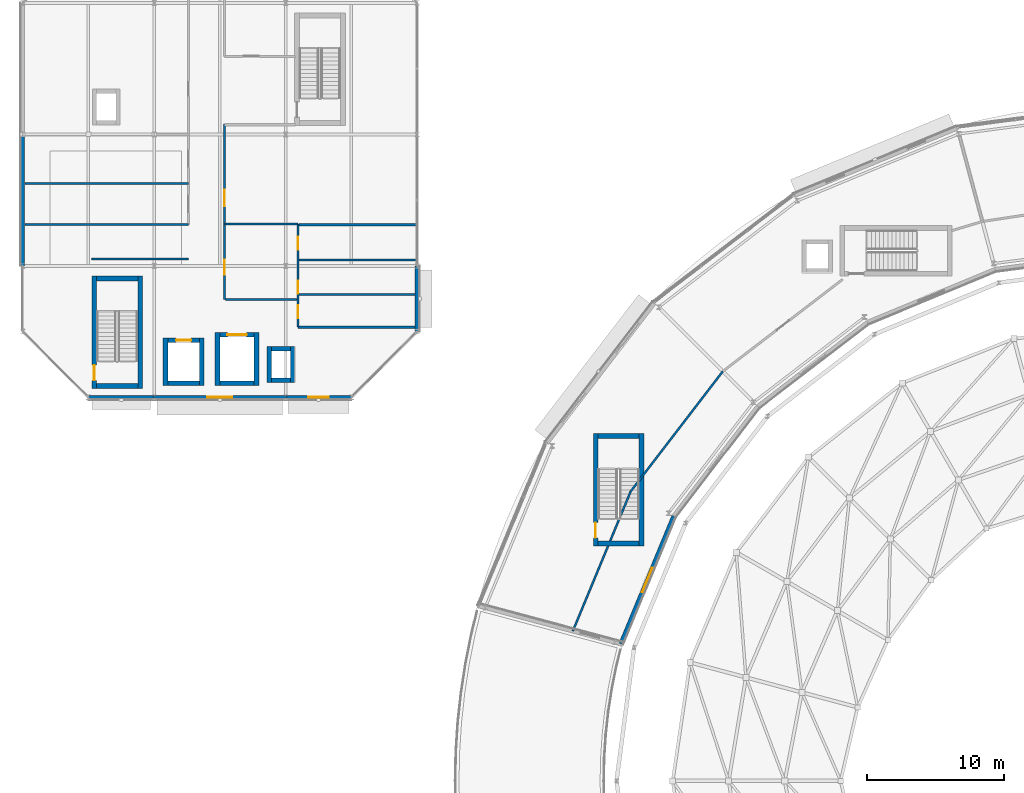
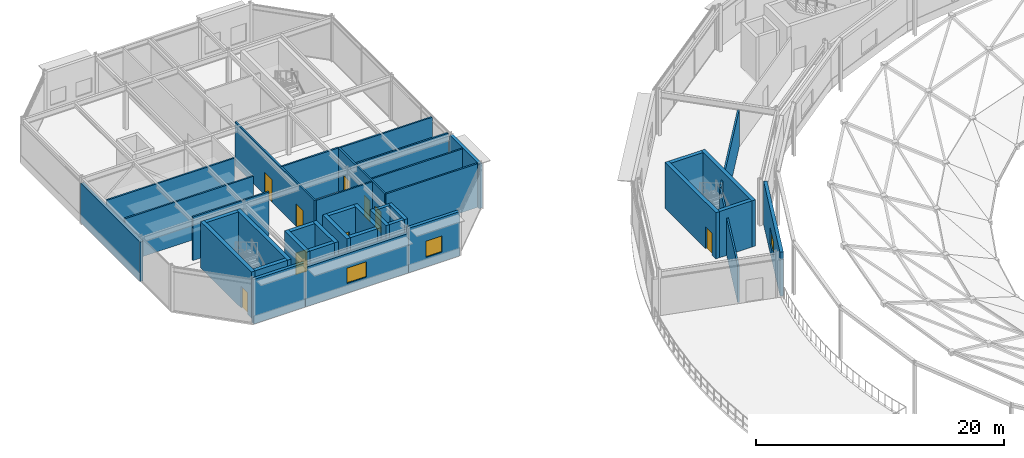
# One storey, part 62 of 89: 39 walls, 9 doors, 3 windows, 12 openings.
"""IFC4 building model written with IfcOpenShell, lengths in metres."""

from ifc_helpers import new_model, si_unit, direction, frame, frame_2d, origin, place, context, subcontext, project, spatial, rectangle, extrude, material, layer, layer_set, type_object, element, fill, save


model = new_model("IFC4")

# Units and contexts
model_context = context("Model", 3, precision=1e-05, world=origin(), true_north=direction((0.0, 1.0)))
body_context = subcontext(model_context, "Body", "Model", "MODEL_VIEW")
ifc_project = project(units=[si_unit("LENGTHUNIT", "METRE"), si_unit("AREAUNIT", "SQUARE_METRE"), si_unit("VOLUMEUNIT", "CUBIC_METRE"), si_unit("PLANEANGLEUNIT", "RADIAN"), si_unit("MASSUNIT", "GRAM", prefix="KILO")], contexts=[model_context])

# Site, building, storey
site_placement = place(None, origin())
site = spatial("IfcSite", under=ifc_project, at=site_placement, CompositionType="ELEMENT")
building_placement = place(site_placement, origin())
building = spatial("IfcBuilding", under=site, at=building_placement, Name="Almandine Court Research Institute", CompositionType="ELEMENT")
storey_placement = place(building_placement, frame((0.0, 0.0, 18.89990234375)))
storey = spatial("IfcBuildingStorey", under=building, at=storey_placement, Name="L04", CompositionType="ELEMENT", Elevation=18.89990234375)

# Walls
ifc_material_1 = material(Name="Insulated Ochre Terracotta Rainscreen Wall", Category="masonry")
ifc_layer_1 = layer(ifc_material_1, 0.2900390625)
ifc_layer_set_1 = layer_set([ifc_layer_1], Name="Insulated Ochre Terracotta Rainscreen Wall")
wall_type_1 = type_object("IfcWallType", Name="Wall-EXT-TERR-290", PredefinedType="SOLIDWALL", material=ifc_layer_set_1)
wall_1_placement = place(storey_placement, frame((6.0, 93.60400390625, 0.0), z_axis=(0.0, 0.0, 1.0), x_axis=(0.0, 1.0, 0.0)))
element("IfcWall", 1, at=wall_1_placement, inside=storey, type_object=wall_type_1, Name="L04 Cleanroom West Wall 2", PredefinedType="SOLIDWALL", context=body_context, shape_type="SweptSolid", body=[
    extrude(rectangle(XDim=9.592041015625, YDim=0.2900390625, at=frame_2d((4.7958984375, 0.0))), origin(), (0.0, 0.0, 1.0), 3.884033203125),
])
wall_2_placement = place(storey_placement, frame((34.800048828125, 93.595947265625, 0.0), z_axis=(0.0, 0.0, 1.0), x_axis=(0.0, -1.0, 0.0)))
element("IfcWall", 2, at=wall_2_placement, inside=storey, type_object=wall_type_1, Name="L04 Cleanroom East Wall 1", PredefinedType="SOLIDWALL", context=body_context, shape_type="SweptSolid", body=[
    extrude(rectangle(XDim=4.7919921875, YDim=0.2900390625, at=frame_2d((2.39599609375, 0.0))), origin(), (0.0, 0.0, 1.0), 4.3701171875),
])

# Wall, opening, window
wall_3_placement = place(storey_placement, frame((29.99609375, 84.0, 0.0), z_axis=(0.0, 0.0, 1.0), x_axis=(-1.0, 0.0, 0.0)))
wall_3 = element("IfcWall", 3, at=wall_3_placement, inside=storey, type_object=wall_type_1, Name="L04 Cleanroom South Wall 1", PredefinedType="SOLIDWALL", context=body_context, shape_type="SweptSolid", body=[
    extrude(rectangle(XDim=4.7919921875, YDim=0.2900390625, at=frame_2d((2.39599609375, 0.0))), origin(), (0.0, 0.0, 1.0), 4.3701171875),
])
opening_1_placement = place(wall_3_placement, frame((1.65087890625, 0.0, 0.949951171875)))
opening_1 = element("IfcOpeningElement", 4, at=opening_1_placement, cuts=wall_3, Name="Opening WN-38", PredefinedType="OPENING", context=body_context, shape_type="SweptSolid", body=[
    extrude(rectangle(XDim=1.489990234375, YDim=1.590087890625, at=frame_2d((0.7451171875, 0.794921875))), frame((0.0, 0.155029296875, 0.0), z_axis=(0.0, -1.0, 0.0), x_axis=(1.0, 0.0, 0.0)), (0.0, 0.0, 1.0), 0.31005859375),
])
ifc_material_2 = material(Name="Thermally Broken Low-E Double-Glazed Window", Category="glass")
window_type_1 = type_object("IfcWindowType", Name="Win-WN-38-1490x1590", PartitioningType="SINGLE_PANEL", PredefinedType="WINDOW", material=ifc_material_2)
window_1_placement = place(opening_1_placement, origin())
window_1 = element("IfcWindow", 5, at=window_1_placement, inside=storey, type_object=window_type_1, Name="L04 Modular Recessed Low-E Window 58", OverallHeight=1.590087890625, OverallWidth=1.489990234375, PartitioningType="SINGLE_PANEL", PredefinedType="WINDOW", context=body_context, shape_type="SweptSolid", body=[
    extrude(rectangle(XDim=1.489990234375, YDim=1.590087890625, at=frame_2d((0.7451171875, 0.794921875))), frame((0.0, 0.030029296875, 0.0), z_axis=(0.0, -1.0, 0.0), x_axis=(1.0, 0.0, 0.0)), (0.0, 0.0, 1.0), 0.06005859375),
])
fill(opening_1, window_1)

wall_4_placement = place(storey_placement, frame((25.196044921875, 84.0, 0.0), z_axis=(0.0, 0.0, 1.0), x_axis=(-1.0, 0.0, 0.0)))
wall_4 = element("IfcWall", 6, at=wall_4_placement, inside=storey, type_object=wall_type_1, Name="L04 Cleanroom South Wall 2", PredefinedType="SOLIDWALL", context=body_context, shape_type="SweptSolid", body=[
    extrude(rectangle(XDim=9.592041015625, YDim=0.2900390625, at=frame_2d((4.7958984375, 0.0))), origin(), (0.0, 0.0, 1.0), 3.884033203125),
])
opening_2_placement = place(wall_4_placement, frame((3.885986328125, 0.0, 0.949951171875)))
opening_2 = element("IfcOpeningElement", 7, at=opening_2_placement, cuts=wall_4, Name="Opening WN-39", PredefinedType="OPENING", context=body_context, shape_type="SweptSolid", body=[
    extrude(rectangle(XDim=1.820068359375, YDim=1.510009765625, at=frame_2d((0.91015625, 0.7548828125))), frame((0.0, 0.155029296875, 0.0), z_axis=(0.0, -1.0, 0.0), x_axis=(1.0, 0.0, 0.0)), (0.0, 0.0, 1.0), 0.31005859375),
])
window_type_2 = type_object("IfcWindowType", Name="Win-WN-39-1820x1510", PartitioningType="SINGLE_PANEL", PredefinedType="WINDOW", material=ifc_material_2)
window_2_placement = place(opening_2_placement, origin())
window_2 = element("IfcWindow", 8, at=window_2_placement, inside=storey, type_object=window_type_2, Name="L04 Modular Recessed Low-E Window 59", OverallHeight=1.510009765625, OverallWidth=1.820068359375, PartitioningType="SINGLE_PANEL", PredefinedType="WINDOW", context=body_context, shape_type="SweptSolid", body=[
    extrude(rectangle(XDim=1.820068359375, YDim=1.510009765625, at=frame_2d((0.91015625, 0.7548828125))), frame((0.0, 0.030029296875, 0.0), z_axis=(0.0, -1.0, 0.0), x_axis=(1.0, 0.0, 0.0)), (0.0, 0.0, 1.0), 0.06005859375),
])
fill(opening_2, window_2)

# Wall
wall_5_placement = place(storey_placement, frame((15.595947265625, 84.0, 0.0), z_axis=(0.0, 0.0, 1.0), x_axis=(-1.0, 0.0, 0.0)))
element("IfcWall", 9, at=wall_5_placement, inside=storey, type_object=wall_type_1, Name="L04 Cleanroom South Wall 3", PredefinedType="SOLIDWALL", context=body_context, shape_type="SweptSolid", body=[
    extrude(rectangle(XDim=4.7919921875, YDim=0.2900390625, at=frame_2d((2.39599609375, 0.0))), origin(), (0.0, 0.0, 1.0), 4.3701171875),
])

# Wall, opening, window
wall_6_placement = place(storey_placement, frame((53.51708984375, 75.324951171875, 0.0), z_axis=(0.0, 0.0, 1.0), x_axis=(-0.382733240508, -0.92385889973, 0.0)))
wall_6 = element("IfcWall", 10, at=wall_6_placement, inside=storey, type_object=wall_type_1, Name="L04 Drum Inner Gallery Wall 10", PredefinedType="SOLIDWALL", context=body_context, shape_type="SweptSolid", body=[
    extrude(rectangle(XDim=10.08056640625, YDim=0.2900390625, at=frame_2d((5.040283203125, 0.0))), origin(), (0.0, 0.0, 1.0), 4.31005859375),
])
opening_3_placement = place(wall_6_placement, frame((4.074951171875, 0.0, 0.949951171875)))
opening_3 = element("IfcOpeningElement", 11, at=opening_3_placement, cuts=wall_6, Name="Opening WN-128", PredefinedType="OPENING", context=body_context, shape_type="SweptSolid", body=[
    extrude(rectangle(XDim=1.929931640625, YDim=1.590087890625, at=frame_2d((0.96484375, 0.794921875))), frame((0.0, 0.155029296875, 0.0), z_axis=(0.0, -1.0, 0.0), x_axis=(1.0, 0.0, 0.0)), (0.0, 0.0, 1.0), 0.31005859375),
])
window_type_3 = type_object("IfcWindowType", Name="Win-WN-128-1930x1590", PartitioningType="SINGLE_PANEL", PredefinedType="WINDOW", material=ifc_material_2)
window_3_placement = place(opening_3_placement, origin())
window_3 = element("IfcWindow", 12, at=window_3_placement, inside=storey, type_object=window_type_3, Name="L04 Modular Recessed Low-E Window 310", OverallHeight=1.590087890625, OverallWidth=1.929931640625, PartitioningType="SINGLE_PANEL", PredefinedType="WINDOW", context=body_context, shape_type="SweptSolid", body=[
    extrude(rectangle(XDim=1.929931640625, YDim=1.590087890625, at=frame_2d((0.96484375, 0.794921875))), frame((0.0, 0.030029296875, 0.0), z_axis=(0.0, -1.0, 0.0), x_axis=(1.0, 0.0, 0.0)), (0.0, 0.0, 1.0), 0.06005859375),
])
fill(opening_3, window_3)

# Walls
ifc_material_3 = material(Name="Acoustic Steel-Stud Gypsum Partition Wall", Category="steel")
ifc_layer_2 = layer(ifc_material_3, 0.14990234375)
ifc_layer_set_2 = layer_set([ifc_layer_2], Name="Acoustic Steel-Stud Gypsum Partition Wall")
wall_type_2 = type_object("IfcWallType", Name="Wall-PART-150", PredefinedType="PARTITIONING", material=ifc_layer_set_2)
wall_7_placement = place(storey_placement, frame((26.179931640625, 91.52001953125, 0.0), z_axis=(0.0, 0.0, 1.0), x_axis=(1.0, 0.0, 0.0)))
element("IfcWall", 13, at=wall_7_placement, inside=storey, type_object=wall_type_2, Name="L04 Interior Partition W-V3-L04-WCH-1", PredefinedType="PARTITIONING", context=body_context, shape_type="SweptSolid", body=[
    extrude(rectangle(XDim=8.4599609375, YDim=0.14990234375, at=frame_2d((4.22998046875, 0.0))), origin(), (0.0, 0.0, 1.0), 4.300048828125),
])
for number, where, z_axis, x_axis, name in (
    (14, (26.179931640625, 94.02001953125, 0.0), (0.0, 0.0, 1.0), (1.0, 0.0, 0.0), "L04 Interior Partition W-V3-L04-WCH-2"),
    (15, (26.179931640625, 96.60009765625, 0.0), (0.0, 0.0, 1.0), (1.0, 0.0, 0.0), "L04 Interior Partition W-V3-L04-WCH-3"),
):
    element("IfcWall", number, at=place(storey_placement, frame(where, z_axis=z_axis, x_axis=x_axis)), inside=storey, type_object=wall_type_2, Name=name, PredefinedType="PARTITIONING", context=body_context, shape_type="SweptSolid", body=[
        extrude(rectangle(XDim=8.56005859375, YDim=0.14990234375, at=frame_2d((4.280029296875, 0.0))), origin(), (0.0, 0.0, 1.0), 4.300048828125),
    ])
wall_8_placement = place(storey_placement, frame((26.10009765625, 89.1201171875, 0.0), z_axis=(0.0, 0.0, 1.0), x_axis=(1.0, 0.0, 0.0)))
element("IfcWall", 16, at=wall_8_placement, inside=storey, type_object=wall_type_2, Name="L04 Interior Partition W-V3-L04-WCS", PredefinedType="PARTITIONING", context=body_context, shape_type="SweptSolid", body=[
    extrude(rectangle(XDim=8.539794921875, YDim=0.14990234375, at=frame_2d((4.27001953125, 0.0))), origin(), (0.0, 0.0, 1.0), 4.300048828125),
])

# Wall, openings, doors
wall_9_placement = place(storey_placement, frame((26.10009765625, 89.1201171875, 0.0), z_axis=(0.0, 0.0, 1.0), x_axis=(0.0, 1.0, 0.0)))
wall_9 = element("IfcWall", 17, at=wall_9_placement, inside=storey, type_object=wall_type_2, Name="L04 Interior Partition W-V3-L04-WC-ALL", PredefinedType="PARTITIONING", context=body_context, shape_type="SweptSolid", body=[
    extrude(rectangle(XDim=7.52978515625, YDim=0.14990234375, at=frame_2d((3.764892578125, 0.0))), origin(), (0.0, 0.0, 1.0), 4.300048828125),
])
opening_4_placement = place(wall_9_placement, frame((0.659912109375, 0.0, 0.0)))
opening_4 = element("IfcOpeningElement", 18, at=opening_4_placement, cuts=wall_9, Name="Opening D-01", PredefinedType="OPENING", context=body_context, shape_type="SweptSolid", body=[
    extrude(rectangle(XDim=0.949951171875, YDim=2.10009765625, at=frame_2d((0.47509765625, 1.050048828125))), frame((0.0, 0.0849609375, 0.0), z_axis=(0.0, -1.0, 0.0), x_axis=(1.0, 0.0, 0.0)), (0.0, 0.0, 1.0), 0.169921875),
])
opening_5_placement = place(wall_9_placement, frame((2.43994140625, 0.0, 0.0)))
opening_5 = element("IfcOpeningElement", 19, at=opening_5_placement, cuts=wall_9, Name="Opening D-01", PredefinedType="OPENING", context=body_context, shape_type="SweptSolid", body=[
    extrude(rectangle(XDim=0.949951171875, YDim=2.10009765625, at=frame_2d((0.47509765625, 1.050048828125))), frame((0.0, 0.0849609375, 0.0), z_axis=(0.0, -1.0, 0.0), x_axis=(1.0, 0.0, 0.0)), (0.0, 0.0, 1.0), 0.169921875),
])
opening_6_placement = place(wall_9_placement, frame((5.639892578125, 0.0, 0.0)))
opening_6 = element("IfcOpeningElement", 20, at=opening_6_placement, cuts=wall_9, Name="Opening D-01", PredefinedType="OPENING", context=body_context, shape_type="SweptSolid", body=[
    extrude(rectangle(XDim=0.949951171875, YDim=2.10009765625, at=frame_2d((0.47509765625, 1.050048828125))), frame((0.0, 0.0849609375, 0.0), z_axis=(0.0, -1.0, 0.0), x_axis=(1.0, 0.0, 0.0)), (0.0, 0.0, 1.0), 0.169921875),
])
ifc_material_4 = material(Name="Solid-Core Timber Acoustic Room Door", Category="wood")
door_type_1 = type_object("IfcDoorType", Name="Door-INT-950", OperationType="NOTDEFINED", PredefinedType="DOOR", material=ifc_material_4)
door_1_placement = place(opening_4_placement, origin())
door_1 = element("IfcDoor", 21, at=door_1_placement, inside=storey, type_object=door_type_1, Name="L04 V3 Male Toilet Door", OperationType="SINGLE_SWING_RIGHT", OverallHeight=2.10009765625, OverallWidth=0.949951171875, PredefinedType="DOOR", context=body_context, shape_type="SweptSolid", body=[
    extrude(rectangle(XDim=0.949951171875, YDim=2.10009765625, at=frame_2d((0.47509765625, 1.050048828125))), frame((0.0, 0.02490234375, 0.0), z_axis=(0.0, -1.0, 0.0), x_axis=(1.0, 0.0, 0.0)), (0.0, 0.0, 1.0), 0.050048828125),
])
fill(opening_4, door_1)
door_2_placement = place(opening_5_placement, origin())
door_2 = element("IfcDoor", 22, at=door_2_placement, inside=storey, type_object=door_type_1, Name="L04 V3 Female Toilet Door", OperationType="SINGLE_SWING_LEFT", OverallHeight=2.10009765625, OverallWidth=0.949951171875, PredefinedType="DOOR", context=body_context, shape_type="SweptSolid", body=[
    extrude(rectangle(XDim=0.949951171875, YDim=2.10009765625, at=frame_2d((0.47509765625, 1.050048828125))), frame((0.0, 0.02490234375, 0.0), z_axis=(0.0, -1.0, 0.0), x_axis=(1.0, 0.0, 0.0)), (0.0, 0.0, 1.0), 0.050048828125),
])
fill(opening_5, door_2)
door_3_placement = place(opening_6_placement, origin())
door_3 = element("IfcDoor", 23, at=door_3_placement, inside=storey, type_object=door_type_1, Name="L04 V3 Accessible WC Door", OperationType="SINGLE_SWING_RIGHT", OverallHeight=2.10009765625, OverallWidth=0.949951171875, PredefinedType="DOOR", context=body_context, shape_type="SweptSolid", body=[
    extrude(rectangle(XDim=0.949951171875, YDim=2.10009765625, at=frame_2d((0.47509765625, 1.050048828125))), frame((0.0, 0.02490234375, 0.0), z_axis=(0.0, -1.0, 0.0), x_axis=(1.0, 0.0, 0.0)), (0.0, 0.0, 1.0), 0.050048828125),
])
fill(opening_6, door_3)

# Walls
wall_10_placement = place(storey_placement, frame((6.159912109375, 96.6201171875, 0.0), z_axis=(0.0, 0.0, 1.0), x_axis=(1.0, 0.0, 0.0)))
element("IfcWall", 24, at=wall_10_placement, inside=storey, type_object=wall_type_2, Name="L04 Interior Partition W-V3-L04-CSW", PredefinedType="PARTITIONING", context=body_context, shape_type="SweptSolid", body=[
    extrude(rectangle(XDim=11.940185546875, YDim=0.14990234375, at=frame_2d((5.97021484375, 0.0))), origin(), (0.0, 0.0, 1.0), 4.300048828125),
])
wall_11_placement = place(storey_placement, frame((11.02001953125, 94.10009765625, 0.0), z_axis=(0.0, 0.0, 1.0), x_axis=(1.0, 0.0, 0.0)))
element("IfcWall", 25, at=wall_11_placement, inside=storey, type_object=wall_type_2, Name="L04 Interior Partition W-V3-L04-WS", PredefinedType="PARTITIONING", context=body_context, shape_type="SweptSolid", body=[
    extrude(rectangle(XDim=7.080078125, YDim=0.14990234375, at=frame_2d((3.5400390625, 0.0))), origin(), (0.0, 0.0, 1.0), 4.300048828125),
])

# Wall, openings, doors
wall_12_placement = place(storey_placement, frame((20.719970703125, 91.14990234375, 0.0), z_axis=(0.0, 0.0, 1.0), x_axis=(0.0, 1.0, 0.0)))
wall_12 = element("IfcWall", 26, at=wall_12_placement, inside=storey, type_object=wall_type_2, Name="L04 Interior Partition W-V3-L04-CE", PredefinedType="PARTITIONING", context=body_context, shape_type="SweptSolid", body=[
    extrude(rectangle(XDim=12.800048828125, YDim=0.14990234375, at=frame_2d((6.39990234375, 0.0))), origin(), (0.0, 0.0, 1.0), 4.300048828125),
])
opening_7_placement = place(wall_12_placement, frame((1.800048828125, 0.0, 0.0)))
opening_7 = element("IfcOpeningElement", 27, at=opening_7_placement, cuts=wall_12, Name="Opening D-03", PredefinedType="OPENING", context=body_context, shape_type="SweptSolid", body=[
    extrude(rectangle(XDim=1.10009765625, YDim=2.199951171875, at=frame_2d((0.550048828125, 1.10009765625))), frame((0.0, 0.0849609375, 0.0), z_axis=(0.0, -1.0, 0.0), x_axis=(1.0, 0.0, 0.0)), (0.0, 0.0, 1.0), 0.169921875),
])
opening_8_placement = place(wall_12_placement, frame((6.800048828125, 0.0, 0.0)))
opening_8 = element("IfcOpeningElement", 28, at=opening_8_placement, cuts=wall_12, Name="Opening D-04", PredefinedType="OPENING", context=body_context, shape_type="SweptSolid", body=[
    extrude(rectangle(XDim=1.199951171875, YDim=2.199951171875, at=frame_2d((0.60009765625, 1.10009765625))), frame((0.0, 0.0849609375, 0.0), z_axis=(0.0, -1.0, 0.0), x_axis=(1.0, 0.0, 0.0)), (0.0, 0.0, 1.0), 0.169921875),
])
ifc_material_5 = material(Name="Acoustic Vision-Panel Seminar Door")
door_type_2 = type_object("IfcDoorType", Name="Door-INT-1100", OperationType="NOTDEFINED", PredefinedType="DOOR", material=ifc_material_5)
door_4_placement = place(opening_7_placement, origin())
door_4 = element("IfcDoor", 29, at=door_4_placement, inside=storey, type_object=door_type_2, Name="L04 Instrument Room Door", OperationType="SINGLE_SWING_LEFT", OverallHeight=2.199951171875, OverallWidth=1.10009765625, PredefinedType="DOOR", context=body_context, shape_type="SweptSolid", body=[
    extrude(rectangle(XDim=1.10009765625, YDim=2.199951171875, at=frame_2d((0.550048828125, 1.10009765625))), frame((0.0, 0.02490234375, 0.0), z_axis=(0.0, -1.0, 0.0), x_axis=(1.0, 0.0, 0.0)), (0.0, 0.0, 1.0), 0.050048828125),
])
fill(opening_7, door_4)
ifc_material_6 = material(Name="Wide Acoustic Laboratory Suite Door")
door_type_3 = type_object("IfcDoorType", Name="Door-INT-1200", OperationType="NOTDEFINED", PredefinedType="DOOR", material=ifc_material_6)
door_5_placement = place(opening_8_placement, origin())
door_5 = element("IfcDoor", 30, at=door_5_placement, inside=storey, type_object=door_type_3, Name="L04 Nanofabrication Lab Door", OperationType="SINGLE_SWING_RIGHT", OverallHeight=2.199951171875, OverallWidth=1.199951171875, PredefinedType="DOOR", context=body_context, shape_type="SweptSolid", body=[
    extrude(rectangle(XDim=1.199951171875, YDim=2.199951171875, at=frame_2d((0.60009765625, 1.10009765625))), frame((0.0, 0.02490234375, 0.0), z_axis=(0.0, -1.0, 0.0), x_axis=(1.0, 0.0, 0.0)), (0.0, 0.0, 1.0), 0.050048828125),
])
fill(opening_8, door_5)

# Walls
wall_13_placement = place(storey_placement, frame((20.820068359375, 91.14990234375, 0.0), z_axis=(0.0, 0.0, 1.0), x_axis=(1.0, 0.0, 0.0)))
element("IfcWall", 31, at=wall_13_placement, inside=storey, type_object=wall_type_2, Name="L04 Interior Partition W-V3-L04-CES", PredefinedType="PARTITIONING", context=body_context, shape_type="SweptSolid", body=[
    extrude(rectangle(XDim=5.199951171875, YDim=0.14990234375, at=frame_2d((2.60009765625, 0.0))), origin(), (0.0, 0.0, 1.0), 4.300048828125),
])
wall_14_placement = place(storey_placement, frame((20.719970703125, 96.64990234375, 0.0), z_axis=(0.0, 0.0, 1.0), x_axis=(1.0, 0.0, 0.0)))
element("IfcWall", 32, at=wall_14_placement, inside=storey, type_object=wall_type_2, Name="L04 Interior Partition W-V3-L04-SUBN", PredefinedType="PARTITIONING", context=body_context, shape_type="SweptSolid", body=[
    extrude(rectangle(XDim=5.380126953125, YDim=0.14990234375, at=frame_2d((2.68994140625, 0.0))), origin(), (0.0, 0.0, 1.0), 4.300048828125),
])
wall_15_placement = place(storey_placement, frame((6.159912109375, 99.60009765625, 0.0), z_axis=(0.0, 0.0, 1.0), x_axis=(1.0, 0.0, 0.0)))
element("IfcWall", 33, at=wall_15_placement, inside=storey, type_object=wall_type_2, Name="L04 Interior Partition W-V3-L04-SA", PredefinedType="PARTITIONING", context=body_context, shape_type="SweptSolid", body=[
    extrude(rectangle(XDim=11.940185546875, YDim=0.14990234375, at=frame_2d((5.97021484375, 0.0))), origin(), (0.0, 0.0, 1.0), 4.300048828125),
])
wall_16_placement = place(storey_placement, frame((57.10400390625, 85.89599609375, 0.0), z_axis=(0.0, 0.0, 1.0), x_axis=(-0.608828497024, -0.793301872689, 0.0)))
element("IfcWall", 34, at=wall_16_placement, inside=storey, type_object=wall_type_2, Name="L04 Interior Partition W-V5-L04-CHD-09", PredefinedType="PARTITIONING", context=body_context, shape_type="SweptSolid", body=[
    extrude(rectangle(XDim=11.03759765625, YDim=0.14990234375, at=frame_2d((5.518798828125, 0.0))), origin(), (0.0, 0.0, 1.0), 3.676025390625),
])
wall_17_placement = place(storey_placement, frame((50.384033203125, 77.139892578125, 0.0), z_axis=(0.0, 0.0, 1.0), x_axis=(-0.382644845446, -0.923895514793, 0.0)))
element("IfcWall", 35, at=wall_17_placement, inside=storey, type_object=wall_type_2, Name="L04 Interior Partition W-V5-L04-CHD-10", PredefinedType="PARTITIONING", context=body_context, shape_type="SweptSolid", body=[
    extrude(rectangle(XDim=11.03662109375, YDim=0.14990234375, at=frame_2d((5.518310546875, 0.0))), origin(), (0.0, 0.0, 1.0), 3.676025390625),
])
ifc_material_7 = material(Name="Concrete C40/50", Category="concrete")
ifc_layer_3 = layer(ifc_material_7, 0.300048828125)
ifc_layer_set_3 = layer_set([ifc_layer_3], Name="Concrete C40/50")
wall_type_3 = type_object("IfcWallType", Name="Wall-SW-CORE-300", PredefinedType="SHEAR", material=ifc_layer_set_3)
wall_18_placement = place(storey_placement, frame((24.0, 85.10009765625, 0.0), z_axis=(0.0, 0.0, 1.0), x_axis=(0.0, 1.0, 0.0)))
element("IfcWall", 36, at=wall_18_placement, inside=storey, type_object=wall_type_3, Name="L04 MEP Riser RS-V3A W Shear Wall", PredefinedType="SHEAR", context=body_context, shape_type="SweptSolid", body=[
    extrude(rectangle(XDim=2.599853515625, YDim=0.300048828125, at=frame_2d((1.2998046875, 0.0))), origin(), (0.0, 0.0, 1.0), 4.3701171875),
])
wall_19_placement = place(storey_placement, frame((24.14990234375, 87.550048828125, 0.0), z_axis=(0.0, 0.0, 1.0), x_axis=(1.0, 0.0, 0.0)))
element("IfcWall", 37, at=wall_19_placement, inside=storey, type_object=wall_type_3, Name="L04 MEP Riser RS-V3A N Shear Wall", PredefinedType="SHEAR", context=body_context, shape_type="SweptSolid", body=[
    extrude(rectangle(XDim=1.400146484375, YDim=0.300048828125, at=frame_2d((0.7001953125, 0.0))), origin(), (0.0, 0.0, 1.0), 4.3701171875),
])
wall_20_placement = place(storey_placement, frame((25.699951171875, 87.699951171875, 0.0), z_axis=(0.0, 0.0, 1.0), x_axis=(0.0, -1.0, 0.0)))
element("IfcWall", 38, at=wall_20_placement, inside=storey, type_object=wall_type_3, Name="L04 MEP Riser RS-V3A E Shear Wall", PredefinedType="SHEAR", context=body_context, shape_type="SweptSolid", body=[
    extrude(rectangle(XDim=2.599853515625, YDim=0.300048828125, at=frame_2d((1.2998046875, 0.0))), origin(), (0.0, 0.0, 1.0), 4.3701171875),
])
wall_21_placement = place(storey_placement, frame((25.550048828125, 85.25, 0.0), z_axis=(0.0, 0.0, 1.0), x_axis=(-1.0, 0.0, 0.0)))
element("IfcWall", 39, at=wall_21_placement, inside=storey, type_object=wall_type_3, Name="L04 MEP Riser RS-V3A S Shear Wall", PredefinedType="SHEAR", context=body_context, shape_type="SweptSolid", body=[
    extrude(rectangle(XDim=1.400146484375, YDim=0.300048828125, at=frame_2d((0.7001953125, 0.0))), origin(), (0.0, 0.0, 1.0), 4.3701171875),
])

# Wall, opening, door
ifc_layer_4 = layer(ifc_material_7, 0.35009765625)
ifc_layer_set_4 = layer_set([ifc_layer_4], Name="Concrete C40/50")
wall_type_4 = type_object("IfcWallType", Name="Wall-SW-CORE-350", PredefinedType="SHEAR", material=ifc_layer_set_4)
wall_22_placement = place(storey_placement, frame((11.22509765625, 84.64990234375, 0.0), z_axis=(0.0, 0.0, 1.0), x_axis=(0.0, 1.0, 0.0)))
wall_22 = element("IfcWall", 40, at=wall_22_placement, inside=storey, type_object=wall_type_4, Name="L04 ST-05 W Shear Wall", PredefinedType="SHEAR", context=body_context, shape_type="SweptSolid", body=[
    extrude(rectangle(XDim=8.2001953125, YDim=0.35009765625, at=frame_2d((4.10009765625, 0.0))), origin(), (0.0, 0.0, 1.0), 4.550048828125),
])
opening_9_placement = place(wall_22_placement, frame((0.60009765625, 0.0, 0.0)))
opening_9 = element("IfcOpeningElement", 41, at=opening_9_placement, cuts=wall_22, Name="Opening FD-STAIR", PredefinedType="OPENING", context=body_context, shape_type="SweptSolid", body=[
    extrude(rectangle(XDim=1.10009765625, YDim=2.14990234375, at=frame_2d((0.550048828125, 1.074951171875))), frame((0.0, 0.18505859375, 0.0), z_axis=(0.0, -1.0, 0.0), x_axis=(1.0, 0.0, 0.0)), (0.0, 0.0, 1.0), 0.3701171875),
])
ifc_material_8 = material(Name="Self-Closing Steel Exit Stair Fire Door", Category="steel")
door_type_4 = type_object("IfcDoorType", Name="Door-FD-STAIR-1100", OperationType="NOTDEFINED", PredefinedType="DOOR", material=ifc_material_8)
door_6_placement = place(opening_9_placement, origin())
door_6 = element("IfcDoor", 42, at=door_6_placement, inside=storey, type_object=door_type_4, Name="L04 Exit Stair ST-05 Fire Door", OperationType="SINGLE_SWING_RIGHT", OverallHeight=2.14990234375, OverallWidth=1.10009765625, PredefinedType="DOOR", context=body_context, shape_type="SweptSolid", body=[
    extrude(rectangle(XDim=1.10009765625, YDim=2.14990234375, at=frame_2d((0.550048828125, 1.074951171875))), frame((0.0, 0.02490234375, 0.0), z_axis=(0.0, -1.0, 0.0), x_axis=(1.0, 0.0, 0.0)), (0.0, 0.0, 1.0), 0.050048828125),
])
fill(opening_9, door_6)

# Walls
wall_23_placement = place(storey_placement, frame((11.39990234375, 92.675048828125, 0.0), z_axis=(0.0, 0.0, 1.0), x_axis=(1.0, 0.0, 0.0)))
element("IfcWall", 43, at=wall_23_placement, inside=storey, type_object=wall_type_4, Name="L04 ST-05 N Shear Wall", PredefinedType="SHEAR", context=body_context, shape_type="SweptSolid", body=[
    extrude(rectangle(XDim=3.0, YDim=0.35009765625, at=frame_2d((1.5, 0.0))), origin(), (0.0, 0.0, 1.0), 4.550048828125),
])
wall_24_placement = place(storey_placement, frame((14.574951171875, 92.85009765625, 0.0), z_axis=(0.0, 0.0, 1.0), x_axis=(0.0, -1.0, 0.0)))
element("IfcWall", 44, at=wall_24_placement, inside=storey, type_object=wall_type_4, Name="L04 ST-05 E Shear Wall", PredefinedType="SHEAR", context=body_context, shape_type="SweptSolid", body=[
    extrude(rectangle(XDim=8.2001953125, YDim=0.35009765625, at=frame_2d((4.10009765625, 0.0))), origin(), (0.0, 0.0, 1.0), 4.550048828125),
])
wall_25_placement = place(storey_placement, frame((14.39990234375, 84.824951171875, 0.0), z_axis=(0.0, 0.0, 1.0), x_axis=(-1.0, 0.0, 0.0)))
element("IfcWall", 45, at=wall_25_placement, inside=storey, type_object=wall_type_4, Name="L04 ST-05 S Shear Wall", PredefinedType="SHEAR", context=body_context, shape_type="SweptSolid", body=[
    extrude(rectangle(XDim=3.0, YDim=0.35009765625, at=frame_2d((1.5, 0.0))), origin(), (0.0, 0.0, 1.0), 4.550048828125),
])

# Wall, opening, door
wall_26_placement = place(storey_placement, frame((47.824951171875, 73.14990234375, 0.0), z_axis=(0.0, 0.0, 1.0), x_axis=(0.0, 1.0, 0.0)))
wall_26 = element("IfcWall", 46, at=wall_26_placement, inside=storey, type_object=wall_type_4, Name="L04 ST-15 W Shear Wall", PredefinedType="SHEAR", context=body_context, shape_type="SweptSolid", body=[
    extrude(rectangle(XDim=8.2001953125, YDim=0.35009765625, at=frame_2d((4.10009765625, 0.0))), origin(), (0.0, 0.0, 1.0), 4.550048828125),
])
opening_10_placement = place(wall_26_placement, frame((0.60009765625, 0.0, 0.0)))
opening_10 = element("IfcOpeningElement", 47, at=opening_10_placement, cuts=wall_26, Name="Opening FD-STAIR", PredefinedType="OPENING", context=body_context, shape_type="SweptSolid", body=[
    extrude(rectangle(XDim=1.10009765625, YDim=2.14990234375, at=frame_2d((0.550048828125, 1.074951171875))), frame((0.0, 0.18505859375, 0.0), z_axis=(0.0, -1.0, 0.0), x_axis=(1.0, 0.0, 0.0)), (0.0, 0.0, 1.0), 0.3701171875),
])
door_7_placement = place(opening_10_placement, origin())
door_7 = element("IfcDoor", 48, at=door_7_placement, inside=storey, type_object=door_type_4, Name="L04 Exit Stair ST-15 Fire Door", OperationType="SINGLE_SWING_RIGHT", OverallHeight=2.14990234375, OverallWidth=1.10009765625, PredefinedType="DOOR", context=body_context, shape_type="SweptSolid", body=[
    extrude(rectangle(XDim=1.10009765625, YDim=2.14990234375, at=frame_2d((0.550048828125, 1.074951171875))), frame((0.0, 0.02490234375, 0.0), z_axis=(0.0, -1.0, 0.0), x_axis=(1.0, 0.0, 0.0)), (0.0, 0.0, 1.0), 0.050048828125),
])
fill(opening_10, door_7)

# Walls
wall_27_placement = place(storey_placement, frame((48.0, 81.175048828125, 0.0), z_axis=(0.0, 0.0, 1.0), x_axis=(1.0, 0.0, 0.0)))
element("IfcWall", 49, at=wall_27_placement, inside=storey, type_object=wall_type_4, Name="L04 ST-15 N Shear Wall", PredefinedType="SHEAR", context=body_context, shape_type="SweptSolid", body=[
    extrude(rectangle(XDim=3.0, YDim=0.35009765625, at=frame_2d((1.5, 0.0))), origin(), (0.0, 0.0, 1.0), 4.550048828125),
])
wall_28_placement = place(storey_placement, frame((51.175048828125, 81.35009765625, 0.0), z_axis=(0.0, 0.0, 1.0), x_axis=(0.0, -1.0, 0.0)))
element("IfcWall", 50, at=wall_28_placement, inside=storey, type_object=wall_type_4, Name="L04 ST-15 E Shear Wall", PredefinedType="SHEAR", context=body_context, shape_type="SweptSolid", body=[
    extrude(rectangle(XDim=8.2001953125, YDim=0.35009765625, at=frame_2d((4.10009765625, 0.0))), origin(), (0.0, 0.0, 1.0), 4.550048828125),
])
wall_29_placement = place(storey_placement, frame((51.0, 73.324951171875, 0.0), z_axis=(0.0, 0.0, 1.0), x_axis=(-1.0, 0.0, 0.0)))
element("IfcWall", 51, at=wall_29_placement, inside=storey, type_object=wall_type_4, Name="L04 ST-15 S Shear Wall", PredefinedType="SHEAR", context=body_context, shape_type="SweptSolid", body=[
    extrude(rectangle(XDim=3.0, YDim=0.35009765625, at=frame_2d((1.5, 0.0))), origin(), (0.0, 0.0, 1.0), 4.550048828125),
])
wall_30_placement = place(storey_placement, frame((16.425048828125, 84.85009765625, 0.0), z_axis=(0.0, 0.0, 1.0), x_axis=(0.0, 1.0, 0.0)))
element("IfcWall", 52, at=wall_30_placement, inside=storey, type_object=wall_type_4, Name="L04 PL-02 Hoistway W Shear Wall", PredefinedType="SHEAR", context=body_context, shape_type="SweptSolid", body=[
    extrude(rectangle(XDim=3.5, YDim=0.35009765625, at=frame_2d((1.75, 0.0))), origin(), (0.0, 0.0, 1.0), 4.550048828125),
])

# Wall, opening, door
wall_31_placement = place(storey_placement, frame((16.60009765625, 88.175048828125, 0.0), z_axis=(0.0, 0.0, 1.0), x_axis=(1.0, 0.0, 0.0)))
wall_31 = element("IfcWall", 53, at=wall_31_placement, inside=storey, type_object=wall_type_4, Name="L04 PL-02 Hoistway N Shear Wall", PredefinedType="SHEAR", context=body_context, shape_type="SweptSolid", body=[
    extrude(rectangle(XDim=2.2998046875, YDim=0.35009765625, at=frame_2d((1.14990234375, 0.0))), origin(), (0.0, 0.0, 1.0), 4.550048828125),
])
opening_11_placement = place(wall_31_placement, frame((0.60009765625, 0.0, 0.0)))
opening_11 = element("IfcOpeningElement", 54, at=opening_11_placement, cuts=wall_31, Name="Opening LD-01", PredefinedType="OPENING", context=body_context, shape_type="SweptSolid", body=[
    extrude(rectangle(XDim=1.10009765625, YDim=2.14990234375, at=frame_2d((0.550048828125, 1.074951171875))), frame((0.0, 0.18505859375, 0.0), z_axis=(0.0, -1.0, 0.0), x_axis=(1.0, 0.0, 0.0)), (0.0, 0.0, 1.0), 0.3701171875),
])
ifc_material_9 = material(Name="Stainless Steel Lift Landing Sliding Door", Category="steel")
door_type_5 = type_object("IfcDoorType", Name="Door-LD-PASS-1100", OperationType="SLIDING_TO_LEFT", PredefinedType="USERDEFINED", material=ifc_material_9)
door_8_placement = place(opening_11_placement, origin())
door_8 = element("IfcDoor", 55, at=door_8_placement, inside=storey, type_object=door_type_5, Name="L04 Cleanroom Pavilion Passenger Lift PL-02 Sliding Landing Door", ObjectType="LANDING DOOR", OperationType="SLIDING_TO_LEFT", OverallHeight=2.14990234375, OverallWidth=1.10009765625, PredefinedType="USERDEFINED", context=body_context, shape_type="SweptSolid", body=[
    extrude(rectangle(XDim=1.10009765625, YDim=2.14990234375, at=frame_2d((0.550048828125, 1.074951171875))), frame((0.0, 0.02490234375, 0.0), z_axis=(0.0, -1.0, 0.0), x_axis=(1.0, 0.0, 0.0)), (0.0, 0.0, 1.0), 0.050048828125),
])
fill(opening_11, door_8)

# Walls
wall_32_placement = place(storey_placement, frame((19.074951171875, 88.35009765625, 0.0), z_axis=(0.0, 0.0, 1.0), x_axis=(0.0, -1.0, 0.0)))
element("IfcWall", 56, at=wall_32_placement, inside=storey, type_object=wall_type_4, Name="L04 PL-02 Hoistway E Shear Wall", PredefinedType="SHEAR", context=body_context, shape_type="SweptSolid", body=[
    extrude(rectangle(XDim=3.5, YDim=0.35009765625, at=frame_2d((1.75, 0.0))), origin(), (0.0, 0.0, 1.0), 4.550048828125),
])
wall_33_placement = place(storey_placement, frame((18.89990234375, 85.02490234375, 0.0), z_axis=(0.0, 0.0, 1.0), x_axis=(-1.0, 0.0, 0.0)))
element("IfcWall", 57, at=wall_33_placement, inside=storey, type_object=wall_type_4, Name="L04 PL-02 Hoistway S Shear Wall", PredefinedType="SHEAR", context=body_context, shape_type="SweptSolid", body=[
    extrude(rectangle(XDim=2.2998046875, YDim=0.35009765625, at=frame_2d((1.14990234375, 0.0))), origin(), (0.0, 0.0, 1.0), 4.550048828125),
])
wall_34_placement = place(storey_placement, frame((20.22509765625, 84.85009765625, 0.0), z_axis=(0.0, 0.0, 1.0), x_axis=(0.0, 1.0, 0.0)))
element("IfcWall", 58, at=wall_34_placement, inside=storey, type_object=wall_type_4, Name="L04 GL-02 Hoistway W Shear Wall", PredefinedType="SHEAR", context=body_context, shape_type="SweptSolid", body=[
    extrude(rectangle(XDim=3.89990234375, YDim=0.35009765625, at=frame_2d((1.949951171875, 0.0))), origin(), (0.0, 0.0, 1.0), 4.550048828125),
])

# Wall, opening, door
wall_35_placement = place(storey_placement, frame((20.39990234375, 88.574951171875, 0.0), z_axis=(0.0, 0.0, 1.0), x_axis=(1.0, 0.0, 0.0)))
wall_35 = element("IfcWall", 59, at=wall_35_placement, inside=storey, type_object=wall_type_4, Name="L04 GL-02 Hoistway N Shear Wall", PredefinedType="SHEAR", context=body_context, shape_type="SweptSolid", body=[
    extrude(rectangle(XDim=2.5, YDim=0.35009765625, at=frame_2d((1.25, 0.0))), origin(), (0.0, 0.0, 1.0), 4.550048828125),
])
opening_12_placement = place(wall_35_placement, frame((0.550048828125, 0.0, 0.0)))
opening_12 = element("IfcOpeningElement", 60, at=opening_12_placement, cuts=wall_35, Name="Opening LD-03", PredefinedType="OPENING", context=body_context, shape_type="SweptSolid", body=[
    extrude(rectangle(XDim=1.39990234375, YDim=2.300048828125, at=frame_2d((0.699951171875, 1.14990234375))), frame((0.0, 0.18505859375, 0.0), z_axis=(0.0, -1.0, 0.0), x_axis=(1.0, 0.0, 0.0)), (0.0, 0.0, 1.0), 0.3701171875),
])
ifc_material_10 = material(Name="Heavy Goods Lift Landing Sliding Door")
door_type_6 = type_object("IfcDoorType", Name="Door-LD-GOOD-1400", OperationType="SLIDING_TO_LEFT", PredefinedType="USERDEFINED", material=ifc_material_10)
door_9_placement = place(opening_12_placement, origin())
door_9 = element("IfcDoor", 61, at=door_9_placement, inside=storey, type_object=door_type_6, Name="L04 Cleanroom Equipment Goods Lift GL-02 Sliding Landing Door", ObjectType="LANDING DOOR", OperationType="SLIDING_TO_LEFT", OverallHeight=2.300048828125, OverallWidth=1.39990234375, PredefinedType="USERDEFINED", context=body_context, shape_type="SweptSolid", body=[
    extrude(rectangle(XDim=1.39990234375, YDim=2.300048828125, at=frame_2d((0.699951171875, 1.14990234375))), frame((0.0, 0.02490234375, 0.0), z_axis=(0.0, -1.0, 0.0), x_axis=(1.0, 0.0, 0.0)), (0.0, 0.0, 1.0), 0.050048828125),
])
fill(opening_12, door_9)

# Walls
wall_36_placement = place(storey_placement, frame((23.074951171875, 88.75, 0.0), z_axis=(0.0, 0.0, 1.0), x_axis=(0.0, -1.0, 0.0)))
element("IfcWall", 62, at=wall_36_placement, inside=storey, type_object=wall_type_4, Name="L04 GL-02 Hoistway E Shear Wall", PredefinedType="SHEAR", context=body_context, shape_type="SweptSolid", body=[
    extrude(rectangle(XDim=3.89990234375, YDim=0.35009765625, at=frame_2d((1.949951171875, 0.0))), origin(), (0.0, 0.0, 1.0), 4.550048828125),
])
wall_37_placement = place(storey_placement, frame((22.89990234375, 85.02490234375, 0.0), z_axis=(0.0, 0.0, 1.0), x_axis=(-1.0, 0.0, 0.0)))
element("IfcWall", 63, at=wall_37_placement, inside=storey, type_object=wall_type_4, Name="L04 GL-02 Hoistway S Shear Wall", PredefinedType="SHEAR", context=body_context, shape_type="SweptSolid", body=[
    extrude(rectangle(XDim=2.5, YDim=0.35009765625, at=frame_2d((1.25, 0.0))), origin(), (0.0, 0.0, 1.0), 4.550048828125),
])

save(model, "model.ifc")
